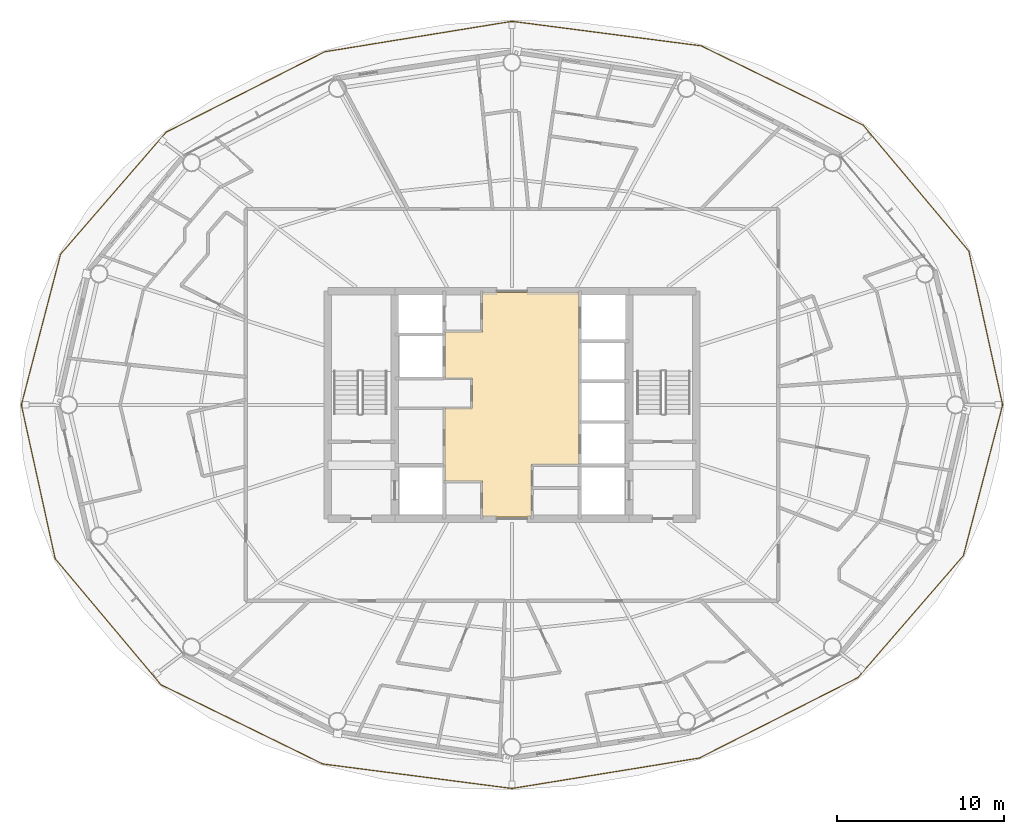
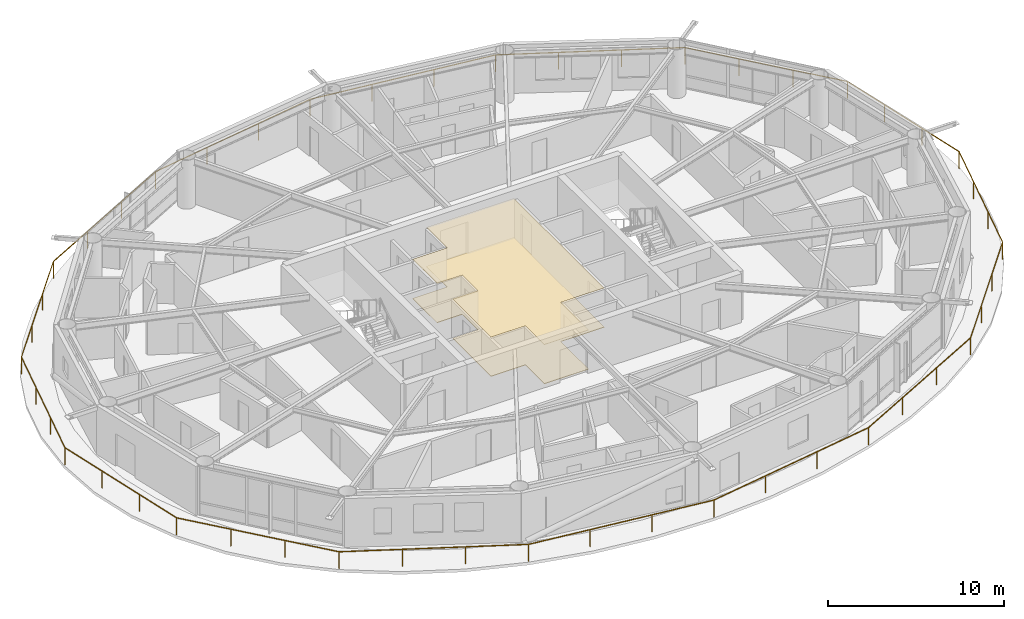
# One storey, part 27 of 28: 2 coverings, 1 railing.
"""IFC4 building model written with IfcOpenShell, lengths in metres."""

from ifc_helpers import new_model, si_unit, direction, frame, origin, origin_2d, place, context, subcontext, project, spatial, polyline, rectangle, outline, extrude, material, layer, layer_set, type_object, element, save


model = new_model("IFC4")

# Units and contexts
model_context = context("Model", 3, precision=1e-05, world=origin(), true_north=direction((0.0, 1.0)))
body_context = subcontext(model_context, "Body", "Model", "MODEL_VIEW")
ifc_project = project(units=[si_unit("LENGTHUNIT", "METRE"), si_unit("AREAUNIT", "SQUARE_METRE"), si_unit("VOLUMEUNIT", "CUBIC_METRE"), si_unit("PLANEANGLEUNIT", "RADIAN"), si_unit("MASSUNIT", "GRAM", prefix="KILO")], contexts=[model_context])

# Site, building, storey
site_placement = place(None, origin())
site = spatial("IfcSite", under=ifc_project, at=site_placement, CompositionType="ELEMENT")
building_placement = place(site_placement, origin())
building = spatial("IfcBuilding", under=site, at=building_placement, Name="Sarneth Arch Tower", CompositionType="ELEMENT")
storey_placement = place(building_placement, frame((0.0, 0.0, 154.199951171875)))
storey = spatial("IfcBuildingStorey", under=building, at=storey_placement, Name="L38", CompositionType="ELEMENT", Elevation=154.199951171875)

# Coverings
ifc_material_1 = material(Name="Perforated acoustic gypsum ceiling board")
ifc_layer_1 = layer(ifc_material_1, 0.02490234375)
ifc_layer_set_1 = layer_set([ifc_layer_1], Name="Perforated acoustic gypsum ceiling board")
covering_type_1 = type_object("IfcCoveringType", Name="COV-CEIL-GYP", PredefinedType="CEILING", material=ifc_layer_set_1)
covering_1_placement = place(storey_placement, frame((0.0, 0.0, 2.7099609375)))
element("IfcCovering", 1, at=covering_1_placement, inside=storey, type_object=covering_type_1, Name="L38 Lift lobby acoustic ceiling", PredefinedType="CEILING", context=body_context, shape_type="SweptSolid", body=[
    extrude(outline(polyline([(49.14990234375, 38.449951171875), (49.14990234375, 35.300048828125), (46.25, 35.300048828125), (46.25, 37.449951171875), (44.0, 37.449951171875), (44.0, 41.800048828125), (45.64990234375, 41.800048828125), (45.64990234375, 43.580078125), (44.0, 43.580078125), (44.0, 46.35009765625), (46.25, 46.35009765625), (46.25, 48.699951171875), (52.0, 48.699951171875), (52.0, 38.449951171875), (49.14990234375, 38.449951171875)])), origin(), (0.0, 0.0, 1.0), 0.030029296875),
])
ifc_material_2 = material(Name="Honed granite stone flooring", Category="masonry")
ifc_layer_2 = layer(ifc_material_2, 0.030029296875)
ifc_layer_set_2 = layer_set([ifc_layer_2], Name="Honed granite stone flooring")
covering_type_2 = type_object("IfcCoveringType", Name="COV-FLR-STONE", PredefinedType="FLOORING", material=ifc_layer_set_2)
covering_2_placement = place(storey_placement, origin())
element("IfcCovering", 2, at=covering_2_placement, inside=storey, type_object=covering_type_2, Name="L38 Lift lobby granite flooring", PredefinedType="FLOORING", context=body_context, shape_type="SweptSolid", body=[
    extrude(outline(polyline([(49.14990234375, 38.449951171875), (49.14990234375, 35.300048828125), (46.25, 35.300048828125), (46.25, 37.449951171875), (44.0, 37.449951171875), (44.0, 41.800048828125), (45.64990234375, 41.800048828125), (45.64990234375, 43.580078125), (44.0, 43.580078125), (44.0, 46.35009765625), (46.25, 46.35009765625), (46.25, 48.699951171875), (52.0, 48.699951171875), (52.0, 38.449951171875), (49.14990234375, 38.449951171875)])), origin(), (0.0, 0.0, 1.0), 0.030029296875),
])

# Railing
ifc_material_3 = material(Name="Laminated structural glass infill with Stainless Steel 316 top rail and posts", Category="steel")
railing_type = type_object("IfcRailingType", Name="RAIL-BALC-1200", PredefinedType="BALUSTRADE", material=ifc_material_3)
railing_placement = place(storey_placement, frame((77.29931640625, 42.0, 0.0)))
element("IfcRailing", 3, at=railing_placement, inside=storey, type_object=railing_type, Name="L38 Helical balcony glass balustrade", PredefinedType="BALUSTRADE", context=body_context, shape_type="SweptSolid", body=[
    extrude(rectangle(XDim=0.048095703125, YDim=0.048095703125, at=origin_2d()), frame((0.0, 0.0, 1.17578125), z_axis=(-0.214862278066, 0.976644357719, 0.0), x_axis=(-0.976644357719, -0.214862278066, 0.0)), (0.0, 0.0, 1.0), 9.4013671875),
    extrude(rectangle(XDim=0.048095703125, YDim=0.048095703125, at=origin_2d()), frame((-2.02001953125, 9.181884765625, 1.17578125), z_axis=(-0.642663106889, 0.766148896132, 0.0), x_axis=(-0.766148896132, -0.642663106889, 0.0)), (0.0, 0.0, 1.0), 9.820068359375),
    extrude(rectangle(XDim=0.048095703125, YDim=0.048095703125, at=origin_2d()), frame((-8.3310546875, 16.70556640625, 1.17578125), z_axis=(-0.898119925017, 0.439750611469, 0.0), x_axis=(-0.439750611469, -0.898119925017, 0.0)), (0.0, 0.0, 1.0), 10.765380859375),
    extrude(rectangle(XDim=0.048095703125, YDim=0.048095703125, at=origin_2d()), frame((-17.999755859375, 21.439697265625, 1.17578125), z_axis=(-0.991707008259, 0.12851929727, 0.0), x_axis=(-0.12851929727, -0.991707008259, 0.0)), (0.0, 0.0, 1.0), 11.39404296875),
    extrude(rectangle(XDim=0.048095703125, YDim=0.048095703125, at=origin_2d()), frame((-29.29931640625, 22.904052734375, 1.17578125), z_axis=(-0.98703870747, -0.160482366495, 0.0), x_axis=(0.160482366495, -0.98703870747, 0.0)), (0.0, 0.0, 1.0), 11.335205078125),
    extrude(rectangle(XDim=0.048095703125, YDim=0.048095703125, at=origin_2d()), frame((-40.487548828125, 21.0849609375, 1.17578125), z_axis=(-0.89185871959, -0.452314077043, 0.0), x_axis=(0.452314077043, -0.89185871959, 0.0)), (0.0, 0.0, 1.0), 10.611083984375),
    extrude(rectangle(XDim=0.048095703125, YDim=0.048095703125, at=origin_2d()), frame((-49.951171875, 16.285400390625, 1.17578125), z_axis=(-0.654299265162, -0.756235724896, 0.0), x_axis=(0.756235724896, -0.654299265162, 0.0)), (0.0, 0.0, 1.0), 9.6328125),
    extrude(rectangle(XDim=0.048095703125, YDim=0.048095703125, at=origin_2d()), frame((-56.25390625, 9.000732421875, 1.17578125), z_axis=(-0.252090640163, -0.967703626707, 0.0), x_axis=(0.967703626707, -0.252090640163, 0.0)), (0.0, 0.0, 1.0), 9.301025390625),
    extrude(rectangle(XDim=0.048095703125, YDim=0.048095703125, at=origin_2d()), frame((-58.5986328125, 0.0, 1.17578125), z_axis=(0.214862278066, -0.976644357719, 0.0), x_axis=(0.976644357719, 0.214862278066, 0.0)), (0.0, 0.0, 1.0), 9.4013671875),
    extrude(rectangle(XDim=0.048095703125, YDim=0.048095703125, at=origin_2d()), frame((-56.57861328125, -9.181884765625, 1.17578125), z_axis=(0.642663106889, -0.766148896132, 0.0), x_axis=(0.766148896132, 0.642663106889, 0.0)), (0.0, 0.0, 1.0), 9.820068359375),
    extrude(rectangle(XDim=0.048095703125, YDim=0.048095703125, at=origin_2d()), frame((-50.267578125, -16.70556640625, 1.17578125), z_axis=(0.898119925017, -0.439750611469, 0.0), x_axis=(0.439750611469, 0.898119925017, 0.0)), (0.0, 0.0, 1.0), 10.765380859375),
    extrude(rectangle(XDim=0.048095703125, YDim=0.048095703125, at=origin_2d()), frame((-40.598876953125, -21.439697265625, 1.17578125), z_axis=(0.991707008259, -0.12851929727, 0.0), x_axis=(0.12851929727, 0.991707008259, 0.0)), (0.0, 0.0, 1.0), 11.39404296875),
    extrude(rectangle(XDim=0.048095703125, YDim=0.048095703125, at=origin_2d()), frame((-29.29931640625, -22.904052734375, 1.17578125), z_axis=(0.98703870747, 0.160482366495, 0.0), x_axis=(-0.160482366495, 0.98703870747, 0.0)), (0.0, 0.0, 1.0), 11.335205078125),
    extrude(rectangle(XDim=0.048095703125, YDim=0.048095703125, at=origin_2d()), frame((-18.111083984375, -21.0849609375, 1.17578125), z_axis=(0.89185871959, 0.452314077043, 0.0), x_axis=(-0.452314077043, 0.89185871959, 0.0)), (0.0, 0.0, 1.0), 10.611083984375),
    extrude(rectangle(XDim=0.048095703125, YDim=0.048095703125, at=origin_2d()), frame((-8.6474609375, -16.285400390625, 1.17578125), z_axis=(0.654299265162, 0.756235724896, 0.0), x_axis=(-0.756235724896, 0.654299265162, 0.0)), (0.0, 0.0, 1.0), 9.6328125),
    extrude(rectangle(XDim=0.048095703125, YDim=0.048095703125, at=origin_2d()), frame((-2.3447265625, -9.000732421875, 1.17578125), z_axis=(0.252090640163, 0.967703626707, 0.0), x_axis=(-0.967703626707, 0.252090640163, 0.0)), (0.0, 0.0, 1.0), 9.301025390625),
    extrude(rectangle(XDim=0.0419921875, YDim=0.0419921875, at=origin_2d()), origin(), (0.0, 0.0, 1.0), 1.15185546875),
    extrude(rectangle(XDim=0.0419921875, YDim=0.0419921875, at=origin_2d()), frame((-0.67333984375, 3.060546875, 0.0)), (0.0, 0.0, 1.0), 1.15185546875),
    extrude(rectangle(XDim=0.0419921875, YDim=0.0419921875, at=origin_2d()), frame((-1.3466796875, 6.121337890625, 0.0)), (0.0, 0.0, 1.0), 1.15185546875),
    extrude(rectangle(XDim=0.0419921875, YDim=0.0419921875, at=origin_2d()), frame((-2.02001953125, 9.181884765625, 0.0)), (0.0, 0.0, 1.0), 1.15185546875),
    extrude(rectangle(XDim=0.0419921875, YDim=0.0419921875, at=origin_2d()), frame((-4.123779296875, 11.689697265625, 0.0)), (0.0, 0.0, 1.0), 1.15185546875),
    extrude(rectangle(XDim=0.0419921875, YDim=0.0419921875, at=origin_2d()), frame((-6.227294921875, 14.19775390625, 0.0)), (0.0, 0.0, 1.0), 1.15185546875),
    extrude(rectangle(XDim=0.0419921875, YDim=0.0419921875, at=origin_2d()), frame((-8.3310546875, 16.70556640625, 0.0)), (0.0, 0.0, 1.0), 1.15185546875),
    extrude(rectangle(XDim=0.0419921875, YDim=0.0419921875, at=origin_2d()), frame((-11.553955078125, 18.28369140625, 0.0)), (0.0, 0.0, 1.0), 1.15185546875),
    extrude(rectangle(XDim=0.0419921875, YDim=0.0419921875, at=origin_2d()), frame((-14.77685546875, 19.861572265625, 0.0)), (0.0, 0.0, 1.0), 1.15185546875),
    extrude(rectangle(XDim=0.0419921875, YDim=0.0419921875, at=origin_2d()), frame((-17.999755859375, 21.439697265625, 0.0)), (0.0, 0.0, 1.0), 1.15185546875),
    extrude(rectangle(XDim=0.0419921875, YDim=0.0419921875, at=origin_2d()), frame((-21.766357421875, 21.927734375, 0.0)), (0.0, 0.0, 1.0), 1.15185546875),
    extrude(rectangle(XDim=0.0419921875, YDim=0.0419921875, at=origin_2d()), frame((-25.53271484375, 22.416015625, 0.0)), (0.0, 0.0, 1.0), 1.15185546875),
    extrude(rectangle(XDim=0.0419921875, YDim=0.0419921875, at=origin_2d()), frame((-29.29931640625, 22.904052734375, 0.0)), (0.0, 0.0, 1.0), 1.15185546875),
    extrude(rectangle(XDim=0.0419921875, YDim=0.0419921875, at=origin_2d()), frame((-33.02880859375, 22.297607421875, 0.0)), (0.0, 0.0, 1.0), 1.15185546875),
    extrude(rectangle(XDim=0.0419921875, YDim=0.0419921875, at=origin_2d()), frame((-36.758056640625, 21.69140625, 0.0)), (0.0, 0.0, 1.0), 1.15185546875),
    extrude(rectangle(XDim=0.0419921875, YDim=0.0419921875, at=origin_2d()), frame((-40.487548828125, 21.0849609375, 0.0)), (0.0, 0.0, 1.0), 1.15185546875),
    extrude(rectangle(XDim=0.0419921875, YDim=0.0419921875, at=origin_2d()), frame((-43.64208984375, 19.485107421875, 0.0)), (0.0, 0.0, 1.0), 1.15185546875),
    extrude(rectangle(XDim=0.0419921875, YDim=0.0419921875, at=origin_2d()), frame((-46.796630859375, 17.88525390625, 0.0)), (0.0, 0.0, 1.0), 1.15185546875),
    extrude(rectangle(XDim=0.0419921875, YDim=0.0419921875, at=origin_2d()), frame((-49.951171875, 16.285400390625, 0.0)), (0.0, 0.0, 1.0), 1.15185546875),
    extrude(rectangle(XDim=0.0419921875, YDim=0.0419921875, at=origin_2d()), frame((-52.052001953125, 13.857177734375, 0.0)), (0.0, 0.0, 1.0), 1.15185546875),
    extrude(rectangle(XDim=0.0419921875, YDim=0.0419921875, at=origin_2d()), frame((-54.153076171875, 11.428955078125, 0.0)), (0.0, 0.0, 1.0), 1.15185546875),
    extrude(rectangle(XDim=0.0419921875, YDim=0.0419921875, at=origin_2d()), frame((-56.25390625, 9.000732421875, 0.0)), (0.0, 0.0, 1.0), 1.15185546875),
    extrude(rectangle(XDim=0.0419921875, YDim=0.0419921875, at=origin_2d()), frame((-57.035400390625, 6.00048828125, 0.0)), (0.0, 0.0, 1.0), 1.15185546875),
    extrude(rectangle(XDim=0.0419921875, YDim=0.0419921875, at=origin_2d()), frame((-57.817138671875, 3.000244140625, 0.0)), (0.0, 0.0, 1.0), 1.15185546875),
    extrude(rectangle(XDim=0.0419921875, YDim=0.0419921875, at=origin_2d()), frame((-58.5986328125, 0.0, 0.0)), (0.0, 0.0, 1.0), 1.15185546875),
    extrude(rectangle(XDim=0.0419921875, YDim=0.0419921875, at=origin_2d()), frame((-57.92529296875, -3.060546875, 0.0)), (0.0, 0.0, 1.0), 1.15185546875),
    extrude(rectangle(XDim=0.0419921875, YDim=0.0419921875, at=origin_2d()), frame((-57.251953125, -6.121337890625, 0.0)), (0.0, 0.0, 1.0), 1.15185546875),
    extrude(rectangle(XDim=0.0419921875, YDim=0.0419921875, at=origin_2d()), frame((-56.57861328125, -9.181884765625, 0.0)), (0.0, 0.0, 1.0), 1.15185546875),
    extrude(rectangle(XDim=0.0419921875, YDim=0.0419921875, at=origin_2d()), frame((-54.474853515625, -11.689697265625, 0.0)), (0.0, 0.0, 1.0), 1.15185546875),
    extrude(rectangle(XDim=0.0419921875, YDim=0.0419921875, at=origin_2d()), frame((-52.371337890625, -14.19775390625, 0.0)), (0.0, 0.0, 1.0), 1.15185546875),
    extrude(rectangle(XDim=0.0419921875, YDim=0.0419921875, at=origin_2d()), frame((-50.267578125, -16.70556640625, 0.0)), (0.0, 0.0, 1.0), 1.15185546875),
    extrude(rectangle(XDim=0.0419921875, YDim=0.0419921875, at=origin_2d()), frame((-47.044677734375, -18.28369140625, 0.0)), (0.0, 0.0, 1.0), 1.15185546875),
    extrude(rectangle(XDim=0.0419921875, YDim=0.0419921875, at=origin_2d()), frame((-43.82177734375, -19.861572265625, 0.0)), (0.0, 0.0, 1.0), 1.15185546875),
    extrude(rectangle(XDim=0.0419921875, YDim=0.0419921875, at=origin_2d()), frame((-40.598876953125, -21.439697265625, 0.0)), (0.0, 0.0, 1.0), 1.15185546875),
    extrude(rectangle(XDim=0.0419921875, YDim=0.0419921875, at=origin_2d()), frame((-36.832275390625, -21.927734375, 0.0)), (0.0, 0.0, 1.0), 1.15185546875),
    extrude(rectangle(XDim=0.0419921875, YDim=0.0419921875, at=origin_2d()), frame((-33.06591796875, -22.416015625, 0.0)), (0.0, 0.0, 1.0), 1.15185546875),
    extrude(rectangle(XDim=0.0419921875, YDim=0.0419921875, at=origin_2d()), frame((-29.29931640625, -22.904052734375, 0.0)), (0.0, 0.0, 1.0), 1.15185546875),
    extrude(rectangle(XDim=0.0419921875, YDim=0.0419921875, at=origin_2d()), frame((-25.56982421875, -22.297607421875, 0.0)), (0.0, 0.0, 1.0), 1.15185546875),
    extrude(rectangle(XDim=0.0419921875, YDim=0.0419921875, at=origin_2d()), frame((-21.840576171875, -21.69140625, 0.0)), (0.0, 0.0, 1.0), 1.15185546875),
    extrude(rectangle(XDim=0.0419921875, YDim=0.0419921875, at=origin_2d()), frame((-18.111083984375, -21.0849609375, 0.0)), (0.0, 0.0, 1.0), 1.15185546875),
    extrude(rectangle(XDim=0.0419921875, YDim=0.0419921875, at=origin_2d()), frame((-14.95654296875, -19.485107421875, 0.0)), (0.0, 0.0, 1.0), 1.15185546875),
    extrude(rectangle(XDim=0.0419921875, YDim=0.0419921875, at=origin_2d()), frame((-11.802001953125, -17.88525390625, 0.0)), (0.0, 0.0, 1.0), 1.15185546875),
    extrude(rectangle(XDim=0.0419921875, YDim=0.0419921875, at=origin_2d()), frame((-8.6474609375, -16.285400390625, 0.0)), (0.0, 0.0, 1.0), 1.15185546875),
    extrude(rectangle(XDim=0.0419921875, YDim=0.0419921875, at=origin_2d()), frame((-6.546630859375, -13.857177734375, 0.0)), (0.0, 0.0, 1.0), 1.15185546875),
    extrude(rectangle(XDim=0.0419921875, YDim=0.0419921875, at=origin_2d()), frame((-4.445556640625, -11.428955078125, 0.0)), (0.0, 0.0, 1.0), 1.15185546875),
    extrude(rectangle(XDim=0.0419921875, YDim=0.0419921875, at=origin_2d()), frame((-2.3447265625, -9.000732421875, 0.0)), (0.0, 0.0, 1.0), 1.15185546875),
    extrude(rectangle(XDim=0.0419921875, YDim=0.0419921875, at=origin_2d()), frame((-1.563232421875, -6.00048828125, 0.0)), (0.0, 0.0, 1.0), 1.15185546875),
    extrude(rectangle(XDim=0.0419921875, YDim=0.0419921875, at=origin_2d()), frame((-0.781494140625, -3.000244140625, 0.0)), (0.0, 0.0, 1.0), 1.15185546875),
])

save(model, "model.ifc")
